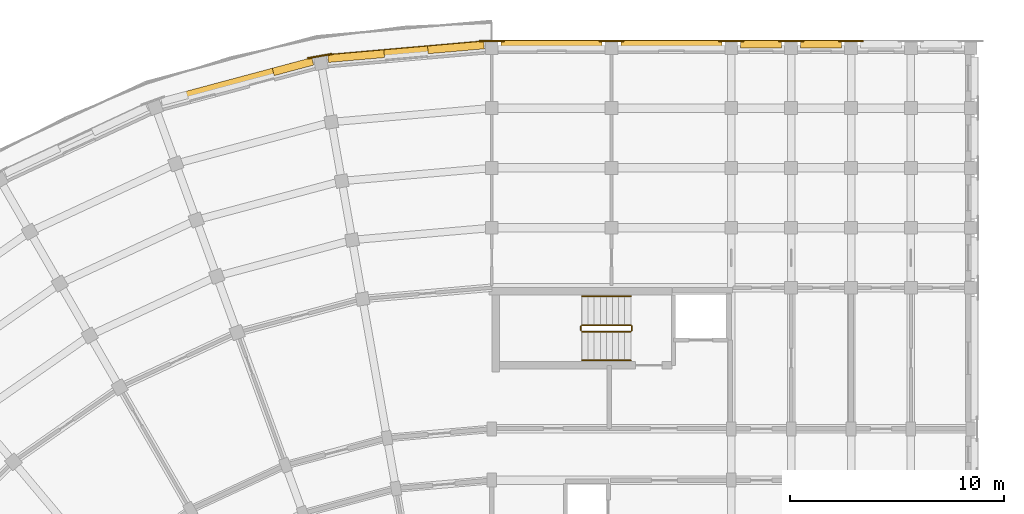
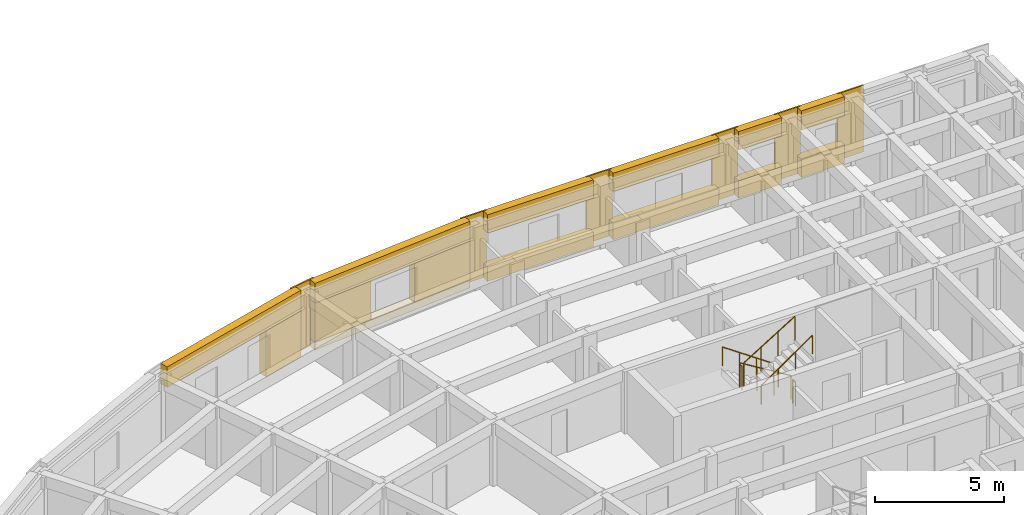
# One storey, part 30 of 36: 20 coverings, 6 railings.
"""IFC4 building model written with IfcOpenShell, lengths in metres."""

from ifc_helpers import new_model, si_unit, direction, frame, origin, origin_2d, place, context, subcontext, project, spatial, polyline, circle, outline, extrude, material, layer, layer_set, type_object, element, save


model = new_model("IFC4")

# Units and contexts
model_context = context("Model", 3, precision=1e-05, world=origin(), true_north=direction((0.0, 1.0)))
body_context = subcontext(model_context, "Body", "Model", "MODEL_VIEW")
ifc_project = project(units=[si_unit("LENGTHUNIT", "METRE"), si_unit("AREAUNIT", "SQUARE_METRE"), si_unit("VOLUMEUNIT", "CUBIC_METRE"), si_unit("PLANEANGLEUNIT", "RADIAN"), si_unit("MASSUNIT", "GRAM", prefix="KILO")], contexts=[model_context])

# Site, building, storey
site_placement = place(None, origin())
site = spatial("IfcSite", under=ifc_project, at=site_placement, CompositionType="ELEMENT")
building_placement = place(site_placement, origin())
building = spatial("IfcBuilding", under=site, at=building_placement, Name="Kiranvali Square Residences", CompositionType="ELEMENT")
storey_placement = place(building_placement, frame((0.0, 0.0, 37.050048828125)))
storey = spatial("IfcBuildingStorey", under=building, at=storey_placement, Name="L11", CompositionType="ELEMENT", Elevation=37.050048828125)

# Coverings
ifc_material_1 = material(Name="Honed Porbandar limestone ashlar facade cladding", Category="masonry")
ifc_layer_1 = layer(ifc_material_1, 0.3798828125)
ifc_layer_set_1 = layer_set([ifc_layer_1], Name="Honed Porbandar limestone ashlar facade cladding")
covering_type_1 = type_object("IfcCoveringType", Name="COV-CLAD-JAMB", PredefinedType="CLADDING", material=ifc_layer_set_1)
covering_1_placement = place(storey_placement, frame((0.0, 0.0, 0.362060546875)))
element("IfcCovering", 1, at=covering_1_placement, inside=storey, type_object=covering_type_1, Name="L11 deep limestone window jamb reveal A-L11-CRV-00.L", PredefinedType="CLADDING", context=body_context, shape_type="SweptSolid", body=[
    extrude(outline(polyline([(47.820068359375, 134.128173828125), (45.19580078125, 133.8984375), (45.22705078125, 133.54052734375), (47.851318359375, 133.77001953125), (47.820068359375, 134.128173828125)])), origin(), (0.0, 0.0, 1.0), 1.849853515625),
])
covering_2_placement = place(storey_placement, frame((0.0, 0.0, 0.362060546875)))
element("IfcCovering", 2, at=covering_2_placement, inside=storey, type_object=covering_type_1, Name="L11 deep limestone window jamb reveal A-L11-CRV-00.R", PredefinedType="CLADDING", context=body_context, shape_type="SweptSolid", body=[
    extrude(outline(polyline([(43.153564453125, 133.719970703125), (40.529541015625, 133.490234375), (40.560791015625, 133.132080078125), (43.18505859375, 133.36181640625), (43.153564453125, 133.719970703125)])), origin(), (0.0, 0.0, 1.0), 1.849853515625),
])
covering_3_placement = place(storey_placement, origin())
element("IfcCovering", 3, at=covering_3_placement, inside=storey, type_object=covering_type_1, Name="L11 deep limestone window jamb reveal A-L11-CRV-01.L", PredefinedType="CLADDING", context=body_context, shape_type="SweptSolid", body=[
    extrude(outline(polyline([(39.781005859375, 133.3583984375), (37.9345703125, 132.863525390625), (38.027587890625, 132.516357421875), (39.8740234375, 133.010986328125), (39.781005859375, 133.3583984375)])), origin(), (0.0, 0.0, 1.0), 2.179931640625),
])
ifc_layer_2 = layer(ifc_material_1, 0.06494140625)
ifc_layer_set_2 = layer_set([ifc_layer_2], Name="Honed Porbandar limestone ashlar facade cladding")
covering_type_2 = type_object("IfcCoveringType", Name="COV-CLAD-PIER", PredefinedType="CLADDING", material=ifc_layer_set_2)
covering_4_placement = place(storey_placement, frame((0.0, 0.0, 0.0048828125)))
element("IfcCovering", 4, at=covering_4_placement, inside=storey, type_object=covering_type_2, Name="L11 Classical limestone corner pilaster CLAD-PR-A-L11-A00", PredefinedType="CLADDING", context=body_context, shape_type="SweptSolid", body=[
    extrude(outline(polyline([(48.780029296875, 134.16796875), (47.6201171875, 134.16796875), (47.6201171875, 134.1005859375), (48.780029296875, 134.1005859375), (48.780029296875, 134.16796875)])), origin(), (0.0, 0.0, 1.0), 3.14013671875),
])
covering_5_placement = place(storey_placement, frame((0.0, 0.0, 0.0048828125)))
element("IfcCovering", 5, at=covering_5_placement, inside=storey, type_object=covering_type_2, Name="L11 Classical limestone corner pilaster CLAD-PR-A-L11-A01", PredefinedType="CLADDING", context=body_context, shape_type="SweptSolid", body=[
    extrude(outline(polyline([(40.719482421875, 133.564208984375), (39.5771484375, 133.36279296875), (39.5888671875, 133.29638671875), (40.731201171875, 133.497802734375), (40.719482421875, 133.564208984375)])), origin(), (0.0, 0.0, 1.0), 3.14013671875),
])
ifc_layer_3 = layer(ifc_material_1, 0.054931640625)
ifc_layer_set_3 = layer_set([ifc_layer_3], Name="Honed Porbandar limestone ashlar facade cladding")
covering_type_3 = type_object("IfcCoveringType", Name="COV-CLAD-PIER-UP", PredefinedType="CLADDING", material=ifc_layer_set_3)
covering_6_placement = place(storey_placement, frame((0.0, 0.0, 0.0048828125)))
element("IfcCovering", 6, at=covering_6_placement, inside=storey, type_object=covering_type_3, Name="L11 Classical limestone pilaster casing CLAD-PR-A-L11-U56", PredefinedType="CLADDING", context=body_context, shape_type="SweptSolid", body=[
    extrude(outline(polyline([(53.219970703125, 134.1005859375), (54.3798828125, 134.1005859375), (54.3798828125, 134.16796875), (53.219970703125, 134.16796875), (53.219970703125, 134.1005859375)])), origin(), (0.0, 0.0, 1.0), 3.14013671875),
])
covering_7_placement = place(storey_placement, frame((0.0, 0.0, 0.0048828125)))
element("IfcCovering", 7, at=covering_7_placement, inside=storey, type_object=covering_type_3, Name="L11 Classical limestone pilaster casing CLAD-PR-A-L11-U112", PredefinedType="CLADDING", context=body_context, shape_type="SweptSolid", body=[
    extrude(outline(polyline([(58.820068359375, 134.1005859375), (59.97998046875, 134.1005859375), (59.97998046875, 134.16796875), (58.820068359375, 134.16796875), (58.820068359375, 134.1005859375)])), origin(), (0.0, 0.0, 1.0), 3.14013671875),
])
covering_8_placement = place(storey_placement, frame((0.0, 0.0, 0.0048828125)))
element("IfcCovering", 8, at=covering_8_placement, inside=storey, type_object=covering_type_3, Name="L11 Classical limestone pilaster casing CLAD-PR-A-L11-U140", PredefinedType="CLADDING", context=body_context, shape_type="SweptSolid", body=[
    extrude(outline(polyline([(61.6201171875, 134.1005859375), (62.780029296875, 134.1005859375), (62.780029296875, 134.16796875), (61.6201171875, 134.16796875), (61.6201171875, 134.1005859375)])), origin(), (0.0, 0.0, 1.0), 3.14013671875),
])
covering_9_placement = place(storey_placement, frame((0.0, 0.0, 0.0048828125)))
element("IfcCovering", 9, at=covering_9_placement, inside=storey, type_object=covering_type_3, Name="L11 Classical limestone pilaster casing CLAD-PR-A-L11-U167", PredefinedType="CLADDING", context=body_context, shape_type="SweptSolid", body=[
    extrude(outline(polyline([(64.419921875, 134.1005859375), (65.580078125, 134.1005859375), (65.580078125, 134.16796875), (64.419921875, 134.16796875), (64.419921875, 134.1005859375)])), origin(), (0.0, 0.0, 1.0), 3.14013671875),
])
ifc_layer_4 = layer(ifc_material_1, 0.360107421875)
ifc_layer_set_4 = layer_set([ifc_layer_4], Name="Honed Porbandar limestone ashlar facade cladding")
covering_type_4 = type_object("IfcCoveringType", Name="COV-CLAD-WALL", PredefinedType="CLADDING", material=ifc_layer_set_4)
covering_10_placement = place(storey_placement, frame((0.0, 0.0, 2.2119140625)))
element("IfcCovering", 10, at=covering_10_placement, inside=storey, type_object=covering_type_4, Name="L11 light limestone spandrel lintel A-L11-CRV-00", PredefinedType="CLADDING", context=body_context, shape_type="SweptSolid", body=[
    extrude(outline(polyline([(47.820068359375, 134.128173828125), (40.529541015625, 133.490234375), (40.560791015625, 133.132080078125), (47.851318359375, 133.77001953125), (47.820068359375, 134.128173828125)])), origin(), (0.0, 0.0, 1.0), 0.93310546875),
])
covering_11_placement = place(storey_placement, frame((0.0, 0.0, 2.179931640625)))
element("IfcCovering", 11, at=covering_11_placement, inside=storey, type_object=covering_type_4, Name="L11 light limestone spandrel lintel A-L11-CRV-01", PredefinedType="CLADDING", context=body_context, shape_type="SweptSolid", body=[
    extrude(outline(polyline([(39.781005859375, 133.3583984375), (32.7119140625, 131.464111328125), (32.804931640625, 131.116943359375), (39.8740234375, 133.010986328125), (39.781005859375, 133.3583984375)])), origin(), (0.0, 0.0, 1.0), 0.965087890625),
])
covering_12_placement = place(storey_placement, frame((0.0, 0.0, 2.280029296875)))
element("IfcCovering", 12, at=covering_12_placement, inside=storey, type_object=covering_type_4, Name="L11 light limestone spandrel lintel A-L11-A1O-0", PredefinedType="CLADDING", context=body_context, shape_type="SweptSolid", body=[
    extrude(outline(polyline([(48.639892578125, 133.800537109375), (53.360107421875, 133.800537109375), (53.360107421875, 134.14990234375), (48.639892578125, 134.14990234375), (48.639892578125, 133.800537109375)])), origin(), (0.0, 0.0, 1.0), 0.864990234375),
])
covering_13_placement = place(storey_placement, frame((0.0, 0.0, 2.280029296875)))
element("IfcCovering", 13, at=covering_13_placement, inside=storey, type_object=covering_type_4, Name="L11 light limestone spandrel lintel A-L11-A1O-1", PredefinedType="CLADDING", context=body_context, shape_type="SweptSolid", body=[
    extrude(outline(polyline([(54.239990234375, 133.800537109375), (58.9599609375, 133.800537109375), (58.9599609375, 134.14990234375), (54.239990234375, 134.14990234375), (54.239990234375, 133.800537109375)])), origin(), (0.0, 0.0, 1.0), 0.864990234375),
])
covering_14_placement = place(storey_placement, frame((0.0, 0.0, 2.280029296875)))
element("IfcCovering", 14, at=covering_14_placement, inside=storey, type_object=covering_type_4, Name="L11 light limestone spandrel lintel A-L11-A1O-2", PredefinedType="CLADDING", context=body_context, shape_type="SweptSolid", body=[
    extrude(outline(polyline([(59.840087890625, 133.800537109375), (61.760009765625, 133.800537109375), (61.760009765625, 134.14990234375), (59.840087890625, 134.14990234375), (59.840087890625, 133.800537109375)])), origin(), (0.0, 0.0, 1.0), 0.864990234375),
])
covering_15_placement = place(storey_placement, frame((0.0, 0.0, 2.22998046875)))
element("IfcCovering", 15, at=covering_15_placement, inside=storey, type_object=covering_type_4, Name="L11 light limestone spandrel lintel A-L11-A1O-3", PredefinedType="CLADDING", context=body_context, shape_type="SweptSolid", body=[
    extrude(outline(polyline([(62.639892578125, 133.800537109375), (64.56005859375, 133.800537109375), (64.56005859375, 134.14990234375), (62.639892578125, 134.14990234375), (62.639892578125, 133.800537109375)])), origin(), (0.0, 0.0, 1.0), 0.9150390625),
])
ifc_layer_5 = layer(ifc_material_1, 0.320068359375)
ifc_layer_set_5 = layer_set([ifc_layer_5], Name="Honed Porbandar limestone ashlar facade cladding")
covering_type_5 = type_object("IfcCoveringType", Name="COV-CLAD-WALL-UP", PredefinedType="CLADDING", material=ifc_layer_set_5)
covering_16_placement = place(storey_placement, frame((0.0, 0.0, 0.0048828125)))
element("IfcCovering", 16, at=covering_16_placement, inside=storey, type_object=covering_type_5, Name="L11 limestone window sill apron A-L11-CRV-00", PredefinedType="CLADDING", context=body_context, shape_type="SweptSolid", body=[
    extrude(outline(polyline([(47.8173828125, 134.157958984375), (40.52685546875, 133.520263671875), (40.560791015625, 133.132080078125), (47.851318359375, 133.77001953125), (47.8173828125, 134.157958984375)])), origin(), (0.0, 0.0, 1.0), 0.357177734375),
])
covering_17_placement = place(storey_placement, frame((0.0, 0.0, 0.0048828125)))
element("IfcCovering", 17, at=covering_17_placement, inside=storey, type_object=covering_type_5, Name="L11 limestone window sill apron A-L11-A1O-0", PredefinedType="CLADDING", context=body_context, shape_type="SweptSolid", body=[
    extrude(outline(polyline([(48.639892578125, 133.800537109375), (53.360107421875, 133.800537109375), (53.360107421875, 134.179931640625), (48.639892578125, 134.179931640625), (48.639892578125, 133.800537109375)])), origin(), (0.0, 0.0, 1.0), 0.675048828125),
])
covering_18_placement = place(storey_placement, frame((0.0, 0.0, 0.0048828125)))
element("IfcCovering", 18, at=covering_18_placement, inside=storey, type_object=covering_type_5, Name="L11 limestone window sill apron A-L11-A1O-1", PredefinedType="CLADDING", context=body_context, shape_type="SweptSolid", body=[
    extrude(outline(polyline([(54.239990234375, 133.800537109375), (58.9599609375, 133.800537109375), (58.9599609375, 134.179931640625), (54.239990234375, 134.179931640625), (54.239990234375, 133.800537109375)])), origin(), (0.0, 0.0, 1.0), 0.775146484375),
])
covering_19_placement = place(storey_placement, frame((0.0, 0.0, 0.0048828125)))
element("IfcCovering", 19, at=covering_19_placement, inside=storey, type_object=covering_type_5, Name="L11 limestone window sill apron A-L11-A1O-2", PredefinedType="CLADDING", context=body_context, shape_type="SweptSolid", body=[
    extrude(outline(polyline([(59.840087890625, 133.800537109375), (61.760009765625, 133.800537109375), (61.760009765625, 134.179931640625), (59.840087890625, 134.179931640625), (59.840087890625, 133.800537109375)])), origin(), (0.0, 0.0, 1.0), 0.824951171875),
])
covering_20_placement = place(storey_placement, frame((0.0, 0.0, 0.0048828125)))
element("IfcCovering", 20, at=covering_20_placement, inside=storey, type_object=covering_type_5, Name="L11 limestone window sill apron A-L11-A1O-3", PredefinedType="CLADDING", context=body_context, shape_type="SweptSolid", body=[
    extrude(outline(polyline([(62.639892578125, 133.800537109375), (64.56005859375, 133.800537109375), (64.56005859375, 134.179931640625), (62.639892578125, 134.179931640625), (62.639892578125, 133.800537109375)])), origin(), (0.0, 0.0, 1.0), 0.875),
])

# Railings
ifc_material_2 = material(Name="Brushed stainless steel tubular handrail", Category="steel")
railing_type_1 = type_object("IfcRailingType", Name="RL-HANDRAIL-900", PredefinedType="HANDRAIL", material=ifc_material_2)
railing_1_placement = place(storey_placement, frame((54.699951171875, 122.199951171875, 0.175048828125)))
element("IfcRailing", 21, at=railing_1_placement, inside=storey, type_object=railing_type_1, Name="L11 ST-A1 stair handrail 1", PredefinedType="HANDRAIL", context=body_context, shape_type="SweptSolid", body=[
    extrude(circle(Radius=0.02392578125, at=origin_2d()), frame((0.0, 0.0, 0.8759765625), z_axis=(-0.82278801735, 0.0, 0.568348377763), x_axis=(0.0, -1.0, 0.0)), (0.0, 0.0, 1.0), 2.77099609375),
    extrude(circle(Radius=0.02099609375, at=origin_2d()), origin(), (0.0, 0.0, 1.0), 0.851806640625),
    extrude(circle(Radius=0.02099609375, at=origin_2d()), frame((-0.760009765625, 0.0, 0.52490234375)), (0.0, 0.0, 1.0), 0.851806640625),
    extrude(circle(Radius=0.02099609375, at=origin_2d()), frame((-1.52001953125, 0.0, 1.050048828125)), (0.0, 0.0, 1.0), 0.851806640625),
    extrude(circle(Radius=0.02099609375, at=origin_2d()), frame((-2.280029296875, 0.0, 1.574951171875)), (0.0, 0.0, 1.0), 0.851806640625),
])
railing_2_placement = place(storey_placement, frame((52.419921875, 119.199951171875, 1.75)))
element("IfcRailing", 22, at=railing_2_placement, inside=storey, type_object=railing_type_1, Name="L11 ST-A1 stair handrail 2", PredefinedType="HANDRAIL", context=body_context, shape_type="SweptSolid", body=[
    extrude(circle(Radius=0.02392578125, at=origin_2d()), frame((0.0, 0.0, 0.8759765625), z_axis=(0.82278801735, 0.0, 0.568348377763), x_axis=(0.0, 1.0, 0.0)), (0.0, 0.0, 1.0), 2.77099609375),
    extrude(circle(Radius=0.02099609375, at=origin_2d()), origin(), (0.0, 0.0, 1.0), 0.851806640625),
    extrude(circle(Radius=0.02099609375, at=origin_2d()), frame((0.760009765625, 0.0, 0.52490234375)), (0.0, 0.0, 1.0), 0.851806640625),
    extrude(circle(Radius=0.02099609375, at=origin_2d()), frame((1.52001953125, 0.0, 1.050048828125)), (0.0, 0.0, 1.0), 0.851806640625),
    extrude(circle(Radius=0.02099609375, at=origin_2d()), frame((2.280029296875, 0.0, 1.574951171875)), (0.0, 0.0, 1.0), 0.851806640625),
])
ifc_material_3 = material(Name="Powder-coated architectural bronze balustrade", Category="steel")
railing_type_2 = type_object("IfcRailingType", Name="RL-ST-GUARD-1200", PredefinedType="GUARDRAIL", material=ifc_material_3)
railing_3_placement = place(storey_placement, frame((54.699951171875, 120.85009765625, 0.175048828125)))
element("IfcRailing", 23, at=railing_3_placement, inside=storey, type_object=railing_type_2, Name="L11 ST-A1 stair guard 1", PredefinedType="GUARDRAIL", context=body_context, shape_type="SweptSolid", body=[
    extrude(circle(Radius=0.02392578125, at=origin_2d()), frame((0.0, 0.0, 1.1259765625), z_axis=(-0.852190499154, 0.0, 0.523231643875), x_axis=(0.0, -1.0, 0.0)), (0.0, 0.0, 1.0), 2.675537109375),
    extrude(circle(Radius=0.02099609375, at=origin_2d()), origin(), (0.0, 0.0, 1.0), 1.101806640625),
    extrude(circle(Radius=0.02099609375, at=origin_2d()), frame((-0.760009765625, 0.0, 0.466552734375)), (0.0, 0.0, 1.0), 1.101806640625),
    extrude(circle(Radius=0.02099609375, at=origin_2d()), frame((-1.52001953125, 0.0, 0.933349609375)), (0.0, 0.0, 1.0), 1.101806640625),
    extrude(circle(Radius=0.02099609375, at=origin_2d()), frame((-2.280029296875, 0.0, 1.39990234375)), (0.0, 0.0, 1.0), 1.101806640625),
])
railing_4_placement = place(storey_placement, frame((52.3701171875, 120.800048828125, 1.574951171875)))
element("IfcRailing", 24, at=railing_4_placement, inside=storey, type_object=railing_type_2, Name="L11 ST-A1 stair guard 2", PredefinedType="GUARDRAIL", context=body_context, shape_type="SweptSolid", body=[
    extrude(circle(Radius=0.02392578125, at=origin_2d()), frame((0.0, 0.0, 1.1259765625), z_axis=(0.0, -1.0, 0.0), x_axis=(1.0, 0.0, 0.0)), (0.0, 0.0, 1.0), 0.199951171875),
    extrude(circle(Radius=0.02099609375, at=origin_2d()), origin(), (0.0, 0.0, 1.0), 1.101806640625),
    extrude(circle(Radius=0.02099609375, at=origin_2d()), frame((0.0, -0.199951171875, 0.0)), (0.0, 0.0, 1.0), 1.101806640625),
])
railing_5_placement = place(storey_placement, frame((52.419921875, 120.550048828125, 1.75)))
element("IfcRailing", 25, at=railing_5_placement, inside=storey, type_object=railing_type_2, Name="L11 ST-A1 stair guard 3", PredefinedType="GUARDRAIL", context=body_context, shape_type="SweptSolid", body=[
    extrude(circle(Radius=0.02392578125, at=origin_2d()), frame((0.0, 0.0, 1.1259765625), z_axis=(0.852190499154, 0.0, 0.523231643875), x_axis=(0.0, 1.0, 0.0)), (0.0, 0.0, 1.0), 2.675537109375),
    extrude(circle(Radius=0.02099609375, at=origin_2d()), origin(), (0.0, 0.0, 1.0), 1.101806640625),
    extrude(circle(Radius=0.02099609375, at=origin_2d()), frame((0.760009765625, 0.0, 0.466552734375)), (0.0, 0.0, 1.0), 1.101806640625),
    extrude(circle(Radius=0.02099609375, at=origin_2d()), frame((1.52001953125, 0.0, 0.933349609375)), (0.0, 0.0, 1.0), 1.101806640625),
    extrude(circle(Radius=0.02099609375, at=origin_2d()), frame((2.280029296875, 0.0, 1.39990234375)), (0.0, 0.0, 1.0), 1.101806640625),
])
railing_6_placement = place(storey_placement, frame((54.75, 120.800048828125, 0.0)))
element("IfcRailing", 26, at=railing_6_placement, inside=storey, type_object=railing_type_2, Name="L11 ST-A1 stair guard 4", PredefinedType="GUARDRAIL", context=body_context, shape_type="SweptSolid", body=[
    extrude(circle(Radius=0.02392578125, at=origin_2d()), frame((0.0, 0.0, 1.1259765625), z_axis=(0.0, -1.0, 0.0), x_axis=(1.0, 0.0, 0.0)), (0.0, 0.0, 1.0), 0.199951171875),
    extrude(circle(Radius=0.02099609375, at=origin_2d()), origin(), (0.0, 0.0, 1.0), 1.101806640625),
    extrude(circle(Radius=0.02099609375, at=origin_2d()), frame((0.0, -0.199951171875, 0.0)), (0.0, 0.0, 1.0), 1.101806640625),
])

save(model, "model.ifc")
